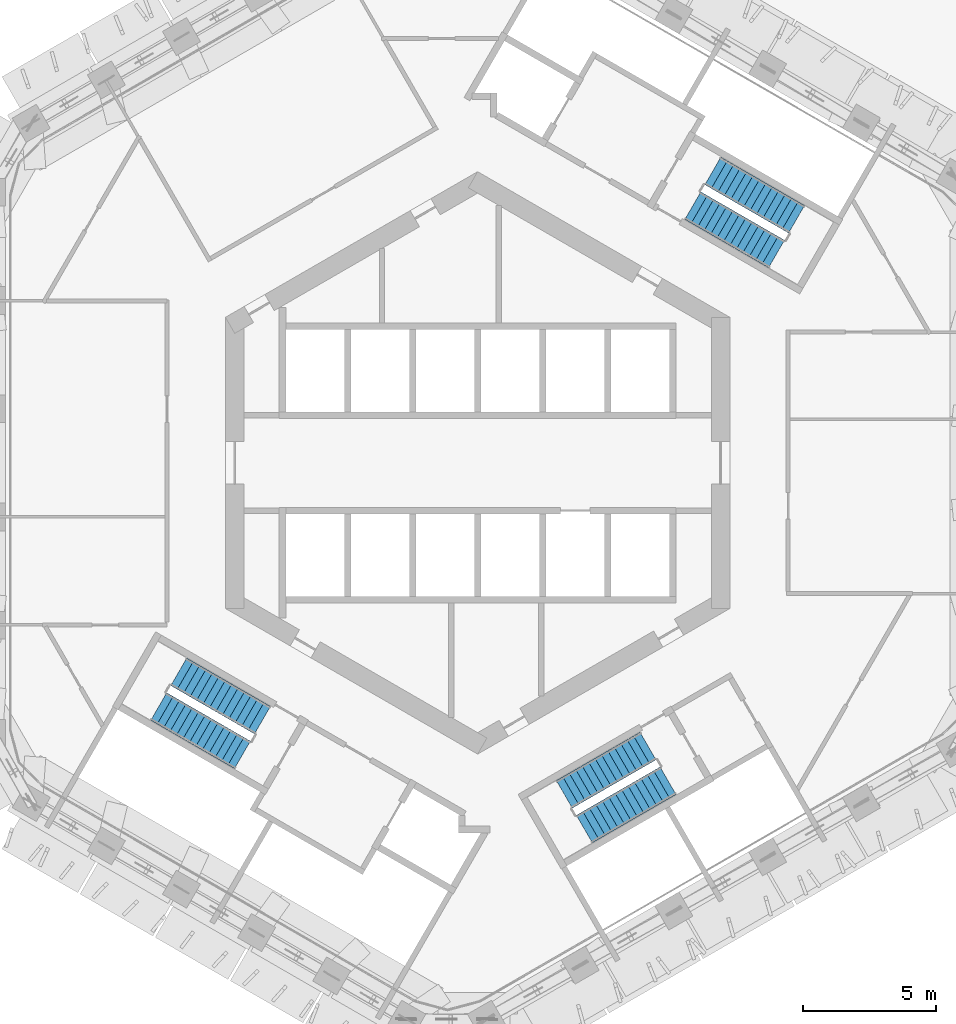
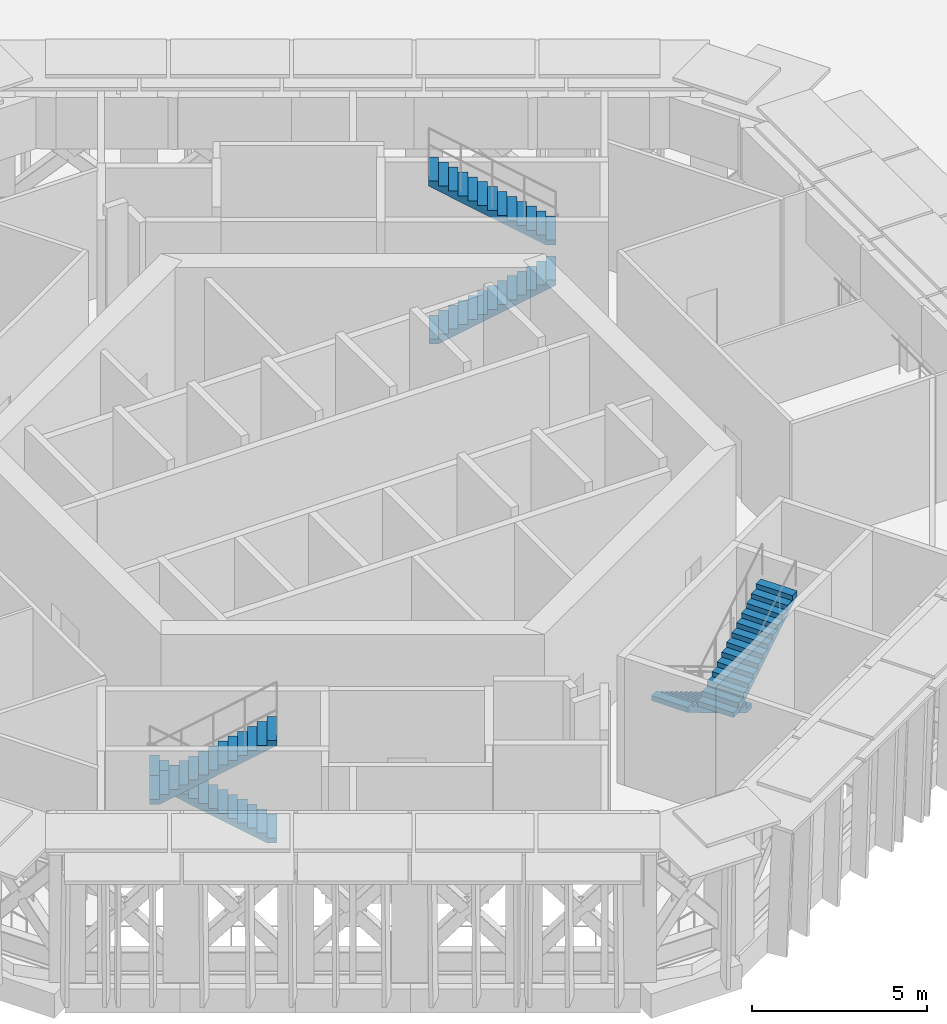
# One storey, part 13 of 18: 6 stair flights, 3 elements without a shape of their own.
"""IFC4 building model written with IfcOpenShell, lengths in metres."""

import ifcopenshell
import ifcopenshell.guid

model = None  # the IFC model being written
_history = None  # IfcOwnerHistory: only IFC2X3 demands one
_inside = {}  # id of a spatial element -> (the spatial element, [elements in it])
_under = {}  # id of a project, library or spatial element -> (it, [spatial elements below it])
_declared = {}  # id of a project -> (the project, [libraries it declares])
_typed = {}  # id of a type object -> (the type object, [elements of that type])
_made_of = {}  # id of a material, layer set ... -> (it, [elements and type objects made of it])


def new_model(schema):
    """Start an empty IFC model of exactly this schema.

    Asked for "IFC4X3", IfcOpenShell would pick the latest addendum, in which some entities
    have other attributes; the version numbers below select the first issue.
    IFC2X3 requires an IfcOwnerHistory on every rooted entity: one is made here for all.
    """
    global model, _history
    if schema == "IFC4X3":
        model = ifcopenshell.file(schema_version=(4, 3, 0, 0))
    else:
        model = ifcopenshell.file(schema=schema)
    _inside.clear()
    _under.clear()
    _declared.clear()
    _typed.clear()
    _made_of.clear()
    _history = None
    if model.schema == "IFC2X3":
        org = make("IfcOrganization", Name="unknown")
        user = make(
            "IfcPersonAndOrganization",
            ThePerson=make("IfcPerson", FamilyName="unknown"),
            TheOrganization=org,
        )
        app = make(
            "IfcApplication",
            ApplicationDeveloper=org,
            Version="unknown",
            ApplicationFullName="unknown",
            ApplicationIdentifier="unknown",
        )
        _history = make(
            "IfcOwnerHistory",
            OwningUser=user,
            OwningApplication=app,
            ChangeAction="ADDED",
            CreationDate=0,
        )
    return model


def make(cls, **values):
    """One entity of the class cls with the attributes given. An attribute that is None is left unset."""
    return model.create_entity(
        cls, **{name: value for name, value in values.items() if value is not None}
    )


def rooted(cls, **values):
    """An entity with a GlobalId (a new one), such as an element, a storey or a relation."""
    return make(cls, GlobalId=ifcopenshell.guid.new(), OwnerHistory=_history, **values)


def si_unit(unit_type, name, prefix=None):
    """IfcSIUnit, for example si_unit("LENGTHUNIT", "METRE", prefix="MILLI")."""
    return make("IfcSIUnit", UnitType=unit_type, Prefix=prefix, Name=name)


def assignment(units):
    """IfcUnitAssignment: the units of a project."""
    return None if units is None else make("IfcUnitAssignment", Units=units)


def point(xyz):
    """IfcCartesianPoint."""
    return None if xyz is None else make("IfcCartesianPoint", Coordinates=xyz)


def direction(xyz):
    """IfcDirection."""
    return None if xyz is None else make("IfcDirection", DirectionRatios=xyz)


def frame(location, z_axis=None, x_axis=None):
    """IfcAxis2Placement3D, a coordinate frame: its origin and axes. An axis left out is left unset."""
    return make(
        "IfcAxis2Placement3D",
        Location=point(location),
        Axis=direction(z_axis),
        RefDirection=direction(x_axis),
    )


def origin():
    """The frame at (0, 0, 0) with its axes left unset."""
    return frame((0.0, 0.0, 0.0))


def place(relative_to, where):
    """IfcLocalPlacement: puts the frame where relative to a parent placement (None: the world)."""
    return make(
        "IfcLocalPlacement", PlacementRelTo=relative_to, RelativePlacement=where
    )


def context(
    kind, dimensions, precision=None, world=None, true_north=None, identifier=None
):
    """IfcGeometricRepresentationContext, for example the 3D "Model" context."""
    return make(
        "IfcGeometricRepresentationContext",
        ContextIdentifier=identifier,
        ContextType=kind,
        CoordinateSpaceDimension=dimensions,
        Precision=precision,
        WorldCoordinateSystem=world,
        TrueNorth=true_north,
    )


def subcontext(parent, identifier, kind, view, scale=None):
    """IfcGeometricRepresentationSubContext, for example "Body" below "Model"."""
    return make(
        "IfcGeometricRepresentationSubContext",
        ContextIdentifier=identifier,
        ContextType=kind,
        ParentContext=parent,
        TargetScale=scale,
        TargetView=view,
    )


def project(units=None, contexts=None):
    """IfcProject with its units and contexts."""
    return rooted(
        "IfcProject",
        Name="project",
        RepresentationContexts=contexts,
        UnitsInContext=assignment(units),
    )


def spatial(cls, under=None, at=None, **own):
    """A site, building, storey or space (cls), placed at a placement, below another one or the project."""
    s = rooted(cls, ObjectPlacement=at, **own)
    if under is not None:
        _under.setdefault(under.id(), (under, []))[1].append(s)
    return s


def point_list(points):
    """IfcCartesianPointList2D or 3D."""
    cls = (
        "IfcCartesianPointList2D" if len(points[0]) == 2 else "IfcCartesianPointList3D"
    )
    return make(cls, CoordList=points)


def triangles(points, corners, closed=None, point_numbers=None):
    """IfcTriangulatedFaceSet: each triangle names its three corners, points numbered from 1."""
    return make(
        "IfcTriangulatedFaceSet",
        Coordinates=point_list(points),
        Closed=closed,
        CoordIndex=corners,
        PnIndex=point_numbers,
    )


def shape(context_of_items, identifier, shape_type, items):
    """IfcShapeRepresentation: the items that make up one representation, for example the "Body"."""
    return make(
        "IfcShapeRepresentation",
        ContextOfItems=context_of_items,
        RepresentationIdentifier=identifier,
        RepresentationType=shape_type,
        Items=items,
    )


def material(Name=None, Category=None):
    """IfcMaterial."""
    return make("IfcMaterial", Name=Name, Category=Category)


def made_of(thing, what):
    """Note that an element or type object is made of a material, layer set ...; save() writes the relation."""
    if what is not None:
        _made_of.setdefault(what.id(), (what, []))[1].append(thing)
    return thing


def type_object(cls, material=None, **own):
    """A type object (cls), such as IfcWallType, which elements share."""
    return made_of(rooted(cls, **own), material)


def element(
    cls,
    number,
    at=None,
    inside=None,
    cuts=None,
    type_object=None,
    material=None,
    context=None,
    identifier="Body",
    shape_type=None,
    held_by="IfcProductDefinitionShape",
    body=None,
    shapes=None,
    **own,
):
    """One element of the class cls, such as IfcWall. Its Tag is "e" and its number.

    at: its placement. inside: the storey or other place that contains it. cuts: it is an
    opening in that element (IfcRelVoidsElement). A single representation is given by context,
    identifier, shape_type and body (its items); several are given by shapes. held_by: the class
    of the entity that holds the representations. save() writes the other relations.
    """
    e = rooted(cls, Tag="e%d" % number, ObjectPlacement=at, **own)
    if body is not None:
        shapes = [shape(context, identifier, shape_type, body)]
    if shapes is not None:
        e.Representation = make(held_by, Representations=shapes)
    if inside is not None:
        _inside.setdefault(inside.id(), (inside, []))[1].append(e)
    if cuts is not None:
        rooted(
            "IfcRelVoidsElement", RelatingBuildingElement=cuts, RelatedOpeningElement=e
        )
    if type_object is not None:
        _typed.setdefault(type_object.id(), (type_object, []))[1].append(e)
    return made_of(e, material)


def aggregate(whole, parts):
    """IfcRelAggregates: a whole, such as a stair, and the parts it consists of."""
    return rooted("IfcRelAggregates", RelatingObject=whole, RelatedObjects=parts)


def save(model, path):
    """Write the relations noted so far, then the file.

    IfcRelAggregates (storeys below a building ...), IfcRelContainedInSpatialStructure (elements
    in a storey), IfcRelDefinesByType, IfcRelAssociatesMaterial and IfcRelDeclares: one each for
    every whole, place, type object, material and project.
    """
    for whole, parts in _under.values():
        aggregate(whole, parts)
    for where, things in _inside.values():
        rooted(
            "IfcRelContainedInSpatialStructure",
            RelatedElements=things,
            RelatingStructure=where,
        )
    for kind, things in _typed.values():
        rooted("IfcRelDefinesByType", RelatedObjects=things, RelatingType=kind)
    for what, things in _made_of.values():
        rooted("IfcRelAssociatesMaterial", RelatedObjects=things, RelatingMaterial=what)
    for by, libraries in _declared.values():
        rooted("IfcRelDeclares", RelatingContext=by, RelatedDefinitions=libraries)
    model.write(path)


model = new_model("IFC4")

# Units and contexts
model_context = context("Model", 3, precision=1e-05, world=origin(), true_north=direction((0.0, 1.0)))
body_context = subcontext(model_context, "Body", "Model", "MODEL_VIEW")
ifc_project = project(units=[si_unit("LENGTHUNIT", "METRE"), si_unit("AREAUNIT", "SQUARE_METRE"), si_unit("VOLUMEUNIT", "CUBIC_METRE"), si_unit("PLANEANGLEUNIT", "RADIAN"), si_unit("MASSUNIT", "GRAM", prefix="KILO")], contexts=[model_context])

# Site, building, storey
site_placement = place(None, origin())
site = spatial("IfcSite", under=ifc_project, at=site_placement, CompositionType="ELEMENT")
building_placement = place(site_placement, origin())
building = spatial("IfcBuilding", under=site, at=building_placement, Name="Ayvan Gate Tower", CompositionType="ELEMENT")
storey_placement = place(building_placement, frame((0.0, 0.0, 147.89990234375)))
storey = spatial("IfcBuildingStorey", under=building, at=storey_placement, Name="L39", CompositionType="ELEMENT", Elevation=147.89990234375)

# Stair, stair flights
ifc_material = material(Name="Concrete C40/50", Category="concrete")
stair_type = type_object("IfcStairType", Name="ST-EXIT", PredefinedType="HALF_TURN_STAIR", material=ifc_material)
stair_1_placement = place(storey_placement, origin())
stair_1 = element("IfcStair", 1, at=stair_1_placement, inside=storey, type_object=stair_type, Name="L39 Exit Stair S1", PredefinedType="HALF_TURN_STAIR")
stair_flight_type = type_object("IfcStairFlightType", Name="SFL-EXIT", PredefinedType="STRAIGHT", material=ifc_material)
stair_flight_1_placement = place(storey_placement, frame((8.106201171875, 9.690185546875, 0.0), z_axis=(0.0, 0.0, 1.0), x_axis=(0.866025403784, -0.5, 0.0)))
stair_flight_1 = element("IfcStairFlight", 2, at=stair_flight_1_placement, type_object=stair_flight_type, Name="STS1 flight 1", NumberOfRisers=14, NumberOfTreads=13, PredefinedType="STRAIGHT", RiserHeight=0.171428571, TreadLength=0.28, context=body_context, shape_type="Tessellation", body=[
    triangles([(0.287085, -0.599976, 0.0), (3.6405, -0.599976, 2.053111), (3.6405, -0.599976, 2.228571), (3.36, -0.599976, 2.228571), (3.36, -0.599976, 2.057143), (3.08, -0.599976, 2.057143), (3.08, -0.599976, 1.885714), (2.8, -0.599976, 1.885714), (2.8, -0.599976, 1.714286), (2.52, -0.599976, 1.714286), (2.52, -0.599976, 1.542857), (2.24, -0.599976, 1.542857), (2.24, -0.599976, 1.371429), (1.96, -0.599976, 1.371429), (1.96, -0.599976, 1.2), (1.68, -0.599976, 1.2), (1.68, -0.599976, 1.028571), (1.4, -0.599976, 1.028571), (1.4, -0.599976, 0.857143), (1.12, -0.599976, 0.857143), (1.12, -0.599976, 0.685714), (0.84, -0.599976, 0.685714), (0.84, -0.599976, 0.514286), (0.56, -0.599976, 0.514286), (0.56, -0.599976, 0.342857), (0.28, -0.599976, 0.342857), (0.28, -0.599976, 0.171429), (-0.0005, -0.599976, 0.171429), (-0.0005, -0.599976, 0.0), (0.287085, 0.0, 0.0), (3.6405, 0.0, 2.053111), (3.6405, 0.0, 2.228571), (3.36, 0.0, 2.228571), (3.36, 0.0, 2.057143), (3.08, 0.0, 2.057143), (3.08, 0.0, 1.885714), (2.8, 0.0, 1.885714), (2.8, 0.0, 1.714286), (2.52, 0.0, 1.714286), (2.52, 0.0, 1.542857), (2.24, 0.0, 1.542857), (2.24, 0.0, 1.371429), (1.96, 0.0, 1.371429), (1.96, 0.0, 1.2), (1.68, 0.0, 1.2), (1.68, 0.0, 1.028571), (1.4, 0.0, 1.028571), (1.4, 0.0, 0.857143), (1.12, 0.0, 0.857143), (1.12, 0.0, 0.685714), (0.84, 0.0, 0.685714), (0.84, 0.0, 0.514286), (0.56, 0.0, 0.514286), (0.56, 0.0, 0.342857), (0.28, 0.0, 0.342857), (0.28, 0.0, 0.171429), (-0.0005, 0.0, 0.171429), (-0.0005, 0.0, 0.0), (0.287085, 0.599976, 0.0), (3.6405, 0.599976, 2.053111), (3.6405, 0.599976, 2.228571), (3.36, 0.599976, 2.228571), (3.36, 0.599976, 2.057143), (3.08, 0.599976, 2.057143), (3.08, 0.599976, 1.885714), (2.8, 0.599976, 1.885714), (2.8, 0.599976, 1.714286), (2.52, 0.599976, 1.714286), (2.52, 0.599976, 1.542857), (2.24, 0.599976, 1.542857), (2.24, 0.599976, 1.371429), (1.96, 0.599976, 1.371429), (1.96, 0.599976, 1.2), (1.68, 0.599976, 1.2), (1.68, 0.599976, 1.028571), (1.4, 0.599976, 1.028571), (1.4, 0.599976, 0.857143), (1.12, 0.599976, 0.857143), (1.12, 0.599976, 0.685714), (0.84, 0.599976, 0.685714), (0.84, 0.599976, 0.514286), (0.56, 0.599976, 0.514286), (0.56, 0.599976, 0.342857), (0.28, 0.599976, 0.342857), (0.28, 0.599976, 0.171429), (-0.0005, 0.599976, 0.171429), (-0.0005, 0.599976, 0.0)], [[29, 1, 2], [87, 60, 59], [2, 3, 4], [60, 62, 61], [2, 4, 5], [60, 63, 62], [2, 5, 6], [60, 64, 63], [2, 6, 7], [60, 65, 64], [7, 8, 9], [65, 67, 66], [2, 7, 9], [60, 67, 65], [9, 10, 11], [67, 69, 68], [2, 9, 11], [60, 69, 67], [11, 12, 13], [69, 71, 70], [2, 11, 13], [60, 71, 69], [13, 14, 15], [71, 73, 72], [2, 13, 15], [60, 73, 71], [15, 16, 17], [73, 75, 74], [2, 15, 17], [60, 75, 73], [17, 18, 19], [75, 77, 76], [2, 17, 19], [60, 77, 75], [19, 20, 21], [77, 79, 78], [2, 19, 21], [60, 79, 77], [21, 22, 23], [79, 81, 80], [2, 21, 23], [60, 81, 79], [23, 24, 25], [81, 83, 82], [2, 23, 25], [60, 83, 81], [25, 26, 27], [83, 85, 84], [2, 25, 27], [60, 85, 83], [29, 2, 27], [87, 85, 60], [27, 28, 29], [85, 87, 86], [1, 30, 31], [1, 31, 2], [59, 31, 30], [59, 60, 31], [2, 31, 32], [2, 32, 3], [60, 32, 31], [60, 61, 32], [3, 32, 33], [3, 33, 4], [61, 33, 32], [61, 62, 33], [4, 33, 34], [4, 34, 5], [62, 34, 33], [62, 63, 34], [5, 34, 35], [5, 35, 6], [63, 35, 34], [63, 64, 35], [6, 35, 36], [6, 36, 7], [64, 36, 35], [64, 65, 36], [7, 36, 37], [7, 37, 8], [65, 37, 36], [65, 66, 37], [8, 37, 38], [8, 38, 9], [66, 38, 37], [66, 67, 38], [9, 38, 39], [9, 39, 10], [67, 39, 38], [67, 68, 39], [10, 39, 40], [10, 40, 11], [68, 40, 39], [68, 69, 40], [11, 40, 41], [11, 41, 12], [69, 41, 40], [69, 70, 41], [12, 41, 42], [12, 42, 13], [70, 42, 41], [70, 71, 42], [13, 42, 43], [13, 43, 14], [71, 43, 42], [71, 72, 43], [14, 43, 44], [14, 44, 15], [72, 44, 43], [72, 73, 44], [15, 44, 45], [15, 45, 16], [73, 45, 44], [73, 74, 45], [16, 45, 46], [16, 46, 17], [74, 46, 45], [74, 75, 46], [17, 46, 47], [17, 47, 18], [75, 47, 46], [75, 76, 47], [18, 47, 48], [18, 48, 19], [76, 48, 47], [76, 77, 48], [19, 48, 49], [19, 49, 20], [77, 49, 48], [77, 78, 49], [20, 49, 50], [20, 50, 21], [78, 50, 49], [78, 79, 50], [21, 50, 51], [21, 51, 22], [79, 51, 50], [79, 80, 51], [22, 51, 52], [22, 52, 23], [80, 52, 51], [80, 81, 52], [23, 52, 53], [23, 53, 24], [81, 53, 52], [81, 82, 53], [24, 53, 54], [24, 54, 25], [82, 54, 53], [82, 83, 54], [25, 54, 55], [25, 55, 26], [83, 55, 54], [83, 84, 55], [26, 55, 56], [26, 56, 27], [84, 56, 55], [84, 85, 56], [27, 56, 57], [27, 57, 28], [85, 57, 56], [85, 86, 57], [28, 57, 58], [28, 58, 29], [86, 58, 57], [86, 87, 58], [29, 58, 30], [29, 30, 1], [87, 30, 58], [87, 59, 30]], closed=True),
])
stair_flight_2_placement = place(storey_placement, frame((12.013427734375, 9.177978515625, 2.400146484375), z_axis=(0.0, 0.0, 1.0), x_axis=(-0.866025403784, 0.5, 0.0)))
stair_flight_2 = element("IfcStairFlight", 3, at=stair_flight_2_placement, type_object=stair_flight_type, Name="STS1 flight 2", NumberOfRisers=14, NumberOfTreads=13, PredefinedType="STRAIGHT", RiserHeight=0.171428571, TreadLength=0.28, context=body_context, shape_type="Tessellation", body=[
    triangles([(0.287085, -0.599976, 0.0), (3.6405, -0.599976, 2.053111), (3.6405, -0.599976, 2.228571), (3.36, -0.599976, 2.228571), (3.36, -0.599976, 2.057143), (3.08, -0.599976, 2.057143), (3.08, -0.599976, 1.885714), (2.8, -0.599976, 1.885714), (2.8, -0.599976, 1.714286), (2.52, -0.599976, 1.714286), (2.52, -0.599976, 1.542857), (2.24, -0.599976, 1.542857), (2.24, -0.599976, 1.371429), (1.96, -0.599976, 1.371429), (1.96, -0.599976, 1.2), (1.68, -0.599976, 1.2), (1.68, -0.599976, 1.028571), (1.4, -0.599976, 1.028571), (1.4, -0.599976, 0.857143), (1.12, -0.599976, 0.857143), (1.12, -0.599976, 0.685714), (0.84, -0.599976, 0.685714), (0.84, -0.599976, 0.514286), (0.56, -0.599976, 0.514286), (0.56, -0.599976, 0.342857), (0.28, -0.599976, 0.342857), (0.28, -0.599976, 0.171429), (-0.0005, -0.599976, 0.171429), (-0.0005, -0.599976, 0.0), (0.287085, 0.0, 0.0), (3.6405, 0.0, 2.053111), (3.6405, 0.0, 2.228571), (3.36, 0.0, 2.228571), (3.36, 0.0, 2.057143), (3.08, 0.0, 2.057143), (3.08, 0.0, 1.885714), (2.8, 0.0, 1.885714), (2.8, 0.0, 1.714286), (2.52, 0.0, 1.714286), (2.52, 0.0, 1.542857), (2.24, 0.0, 1.542857), (2.24, 0.0, 1.371429), (1.96, 0.0, 1.371429), (1.96, 0.0, 1.2), (1.68, 0.0, 1.2), (1.68, 0.0, 1.028571), (1.4, 0.0, 1.028571), (1.4, 0.0, 0.857143), (1.12, 0.0, 0.857143), (1.12, 0.0, 0.685714), (0.84, 0.0, 0.685714), (0.84, 0.0, 0.514286), (0.56, 0.0, 0.514286), (0.56, 0.0, 0.342857), (0.28, 0.0, 0.342857), (0.28, 0.0, 0.171429), (-0.0005, 0.0, 0.171429), (-0.0005, 0.0, 0.0), (0.287085, 0.599976, 0.0), (3.6405, 0.599976, 2.053111), (3.6405, 0.599976, 2.228571), (3.36, 0.599976, 2.228571), (3.36, 0.599976, 2.057143), (3.08, 0.599976, 2.057143), (3.08, 0.599976, 1.885714), (2.8, 0.599976, 1.885714), (2.8, 0.599976, 1.714286), (2.52, 0.599976, 1.714286), (2.52, 0.599976, 1.542857), (2.24, 0.599976, 1.542857), (2.24, 0.599976, 1.371429), (1.96, 0.599976, 1.371429), (1.96, 0.599976, 1.2), (1.68, 0.599976, 1.2), (1.68, 0.599976, 1.028571), (1.4, 0.599976, 1.028571), (1.4, 0.599976, 0.857143), (1.12, 0.599976, 0.857143), (1.12, 0.599976, 0.685714), (0.84, 0.599976, 0.685714), (0.84, 0.599976, 0.514286), (0.56, 0.599976, 0.514286), (0.56, 0.599976, 0.342857), (0.28, 0.599976, 0.342857), (0.28, 0.599976, 0.171429), (-0.0005, 0.599976, 0.171429), (-0.0005, 0.599976, 0.0)], [[29, 1, 2], [87, 60, 59], [2, 3, 4], [60, 62, 61], [2, 4, 5], [60, 63, 62], [2, 5, 6], [60, 64, 63], [2, 6, 7], [60, 65, 64], [7, 8, 9], [65, 67, 66], [2, 7, 9], [60, 67, 65], [9, 10, 11], [67, 69, 68], [2, 9, 11], [60, 69, 67], [11, 12, 13], [69, 71, 70], [2, 11, 13], [60, 71, 69], [13, 14, 15], [71, 73, 72], [2, 13, 15], [60, 73, 71], [15, 16, 17], [73, 75, 74], [2, 15, 17], [60, 75, 73], [17, 18, 19], [75, 77, 76], [2, 17, 19], [60, 77, 75], [19, 20, 21], [77, 79, 78], [2, 19, 21], [60, 79, 77], [21, 22, 23], [79, 81, 80], [2, 21, 23], [60, 81, 79], [23, 24, 25], [81, 83, 82], [2, 23, 25], [60, 83, 81], [25, 26, 27], [83, 85, 84], [2, 25, 27], [60, 85, 83], [29, 2, 27], [87, 85, 60], [27, 28, 29], [85, 87, 86], [1, 30, 31], [1, 31, 2], [59, 31, 30], [59, 60, 31], [2, 31, 32], [2, 32, 3], [60, 32, 31], [60, 61, 32], [3, 32, 33], [3, 33, 4], [61, 33, 32], [61, 62, 33], [4, 33, 34], [4, 34, 5], [62, 34, 33], [62, 63, 34], [5, 34, 35], [5, 35, 6], [63, 35, 34], [63, 64, 35], [6, 35, 36], [6, 36, 7], [64, 36, 35], [64, 65, 36], [7, 36, 37], [7, 37, 8], [65, 37, 36], [65, 66, 37], [8, 37, 38], [8, 38, 9], [66, 38, 37], [66, 67, 38], [9, 38, 39], [9, 39, 10], [67, 39, 38], [67, 68, 39], [10, 39, 40], [10, 40, 11], [68, 40, 39], [68, 69, 40], [11, 40, 41], [11, 41, 12], [69, 41, 40], [69, 70, 41], [12, 41, 42], [12, 42, 13], [70, 42, 41], [70, 71, 42], [13, 42, 43], [13, 43, 14], [71, 43, 42], [71, 72, 43], [14, 43, 44], [14, 44, 15], [72, 44, 43], [72, 73, 44], [15, 44, 45], [15, 45, 16], [73, 45, 44], [73, 74, 45], [16, 45, 46], [16, 46, 17], [74, 46, 45], [74, 75, 46], [17, 46, 47], [17, 47, 18], [75, 47, 46], [75, 76, 47], [18, 47, 48], [18, 48, 19], [76, 48, 47], [76, 77, 48], [19, 48, 49], [19, 49, 20], [77, 49, 48], [77, 78, 49], [20, 49, 50], [20, 50, 21], [78, 50, 49], [78, 79, 50], [21, 50, 51], [21, 51, 22], [79, 51, 50], [79, 80, 51], [22, 51, 52], [22, 52, 23], [80, 52, 51], [80, 81, 52], [23, 52, 53], [23, 53, 24], [81, 53, 52], [81, 82, 53], [24, 53, 54], [24, 54, 25], [82, 54, 53], [82, 83, 54], [25, 54, 55], [25, 55, 26], [83, 55, 54], [83, 84, 55], [26, 55, 56], [26, 56, 27], [84, 56, 55], [84, 85, 56], [27, 56, 57], [27, 57, 28], [85, 57, 56], [85, 86, 57], [28, 57, 58], [28, 58, 29], [86, 58, 57], [86, 87, 58], [29, 58, 30], [29, 30, 1], [87, 30, 58], [87, 59, 30]], closed=True),
])
aggregate(stair_1, [stair_flight_1, stair_flight_2])

stair_2_placement = place(storey_placement, origin())
stair_2 = element("IfcStair", 4, at=stair_2_placement, inside=storey, type_object=stair_type, Name="L39 Exit Stair S2", PredefinedType="HALF_TURN_STAIR")
stair_flight_3_placement = place(storey_placement, frame((-8.106201171875, -9.690185546875, 0.0), z_axis=(0.0, 0.0, 1.0), x_axis=(-0.866025403784, 0.5, 0.0)))
stair_flight_3 = element("IfcStairFlight", 5, at=stair_flight_3_placement, type_object=stair_flight_type, Name="STS2 flight 1", NumberOfRisers=14, NumberOfTreads=13, PredefinedType="STRAIGHT", RiserHeight=0.171428571, TreadLength=0.28, context=body_context, shape_type="Tessellation", body=[
    triangles([(0.287085, -0.599976, 0.0), (3.6405, -0.599976, 2.053111), (3.6405, -0.599976, 2.228571), (3.36, -0.599976, 2.228571), (3.36, -0.599976, 2.057143), (3.08, -0.599976, 2.057143), (3.08, -0.599976, 1.885714), (2.8, -0.599976, 1.885714), (2.8, -0.599976, 1.714286), (2.52, -0.599976, 1.714286), (2.52, -0.599976, 1.542857), (2.24, -0.599976, 1.542857), (2.24, -0.599976, 1.371429), (1.96, -0.599976, 1.371429), (1.96, -0.599976, 1.2), (1.68, -0.599976, 1.2), (1.68, -0.599976, 1.028571), (1.4, -0.599976, 1.028571), (1.4, -0.599976, 0.857143), (1.12, -0.599976, 0.857143), (1.12, -0.599976, 0.685714), (0.84, -0.599976, 0.685714), (0.84, -0.599976, 0.514286), (0.56, -0.599976, 0.514286), (0.56, -0.599976, 0.342857), (0.28, -0.599976, 0.342857), (0.28, -0.599976, 0.171429), (-0.0005, -0.599976, 0.171429), (-0.0005, -0.599976, 0.0), (0.287085, 0.0, 0.0), (3.6405, 0.0, 2.053111), (3.6405, 0.0, 2.228571), (3.36, 0.0, 2.228571), (3.36, 0.0, 2.057143), (3.08, 0.0, 2.057143), (3.08, 0.0, 1.885714), (2.8, 0.0, 1.885714), (2.8, 0.0, 1.714286), (2.52, 0.0, 1.714286), (2.52, 0.0, 1.542857), (2.24, 0.0, 1.542857), (2.24, 0.0, 1.371429), (1.96, 0.0, 1.371429), (1.96, 0.0, 1.2), (1.68, 0.0, 1.2), (1.68, 0.0, 1.028571), (1.4, 0.0, 1.028571), (1.4, 0.0, 0.857143), (1.12, 0.0, 0.857143), (1.12, 0.0, 0.685714), (0.84, 0.0, 0.685714), (0.84, 0.0, 0.514286), (0.56, 0.0, 0.514286), (0.56, 0.0, 0.342857), (0.28, 0.0, 0.342857), (0.28, 0.0, 0.171429), (-0.0005, 0.0, 0.171429), (-0.0005, 0.0, 0.0), (0.287085, 0.599976, 0.0), (3.6405, 0.599976, 2.053111), (3.6405, 0.599976, 2.228571), (3.36, 0.599976, 2.228571), (3.36, 0.599976, 2.057143), (3.08, 0.599976, 2.057143), (3.08, 0.599976, 1.885714), (2.8, 0.599976, 1.885714), (2.8, 0.599976, 1.714286), (2.52, 0.599976, 1.714286), (2.52, 0.599976, 1.542857), (2.24, 0.599976, 1.542857), (2.24, 0.599976, 1.371429), (1.96, 0.599976, 1.371429), (1.96, 0.599976, 1.2), (1.68, 0.599976, 1.2), (1.68, 0.599976, 1.028571), (1.4, 0.599976, 1.028571), (1.4, 0.599976, 0.857143), (1.12, 0.599976, 0.857143), (1.12, 0.599976, 0.685714), (0.84, 0.599976, 0.685714), (0.84, 0.599976, 0.514286), (0.56, 0.599976, 0.514286), (0.56, 0.599976, 0.342857), (0.28, 0.599976, 0.342857), (0.28, 0.599976, 0.171429), (-0.0005, 0.599976, 0.171429), (-0.0005, 0.599976, 0.0)], [[29, 1, 2], [87, 60, 59], [2, 3, 4], [60, 62, 61], [2, 4, 5], [60, 63, 62], [2, 5, 6], [60, 64, 63], [2, 6, 7], [60, 65, 64], [7, 8, 9], [65, 67, 66], [2, 7, 9], [60, 67, 65], [9, 10, 11], [67, 69, 68], [2, 9, 11], [60, 69, 67], [11, 12, 13], [69, 71, 70], [2, 11, 13], [60, 71, 69], [13, 14, 15], [71, 73, 72], [2, 13, 15], [60, 73, 71], [15, 16, 17], [73, 75, 74], [2, 15, 17], [60, 75, 73], [17, 18, 19], [75, 77, 76], [2, 17, 19], [60, 77, 75], [19, 20, 21], [77, 79, 78], [2, 19, 21], [60, 79, 77], [21, 22, 23], [79, 81, 80], [2, 21, 23], [60, 81, 79], [23, 24, 25], [81, 83, 82], [2, 23, 25], [60, 83, 81], [25, 26, 27], [83, 85, 84], [2, 25, 27], [60, 85, 83], [29, 2, 27], [87, 85, 60], [27, 28, 29], [85, 87, 86], [1, 30, 31], [1, 31, 2], [59, 31, 30], [59, 60, 31], [2, 31, 32], [2, 32, 3], [60, 32, 31], [60, 61, 32], [3, 32, 33], [3, 33, 4], [61, 33, 32], [61, 62, 33], [4, 33, 34], [4, 34, 5], [62, 34, 33], [62, 63, 34], [5, 34, 35], [5, 35, 6], [63, 35, 34], [63, 64, 35], [6, 35, 36], [6, 36, 7], [64, 36, 35], [64, 65, 36], [7, 36, 37], [7, 37, 8], [65, 37, 36], [65, 66, 37], [8, 37, 38], [8, 38, 9], [66, 38, 37], [66, 67, 38], [9, 38, 39], [9, 39, 10], [67, 39, 38], [67, 68, 39], [10, 39, 40], [10, 40, 11], [68, 40, 39], [68, 69, 40], [11, 40, 41], [11, 41, 12], [69, 41, 40], [69, 70, 41], [12, 41, 42], [12, 42, 13], [70, 42, 41], [70, 71, 42], [13, 42, 43], [13, 43, 14], [71, 43, 42], [71, 72, 43], [14, 43, 44], [14, 44, 15], [72, 44, 43], [72, 73, 44], [15, 44, 45], [15, 45, 16], [73, 45, 44], [73, 74, 45], [16, 45, 46], [16, 46, 17], [74, 46, 45], [74, 75, 46], [17, 46, 47], [17, 47, 18], [75, 47, 46], [75, 76, 47], [18, 47, 48], [18, 48, 19], [76, 48, 47], [76, 77, 48], [19, 48, 49], [19, 49, 20], [77, 49, 48], [77, 78, 49], [20, 49, 50], [20, 50, 21], [78, 50, 49], [78, 79, 50], [21, 50, 51], [21, 51, 22], [79, 51, 50], [79, 80, 51], [22, 51, 52], [22, 52, 23], [80, 52, 51], [80, 81, 52], [23, 52, 53], [23, 53, 24], [81, 53, 52], [81, 82, 53], [24, 53, 54], [24, 54, 25], [82, 54, 53], [82, 83, 54], [25, 54, 55], [25, 55, 26], [83, 55, 54], [83, 84, 55], [26, 55, 56], [26, 56, 27], [84, 56, 55], [84, 85, 56], [27, 56, 57], [27, 57, 28], [85, 57, 56], [85, 86, 57], [28, 57, 58], [28, 58, 29], [86, 58, 57], [86, 87, 58], [29, 58, 30], [29, 30, 1], [87, 30, 58], [87, 59, 30]], closed=True),
])
stair_flight_4_placement = place(storey_placement, frame((-12.013427734375, -9.177978515625, 2.400146484375), z_axis=(0.0, 0.0, 1.0), x_axis=(0.866025403784, -0.5, 0.0)))
stair_flight_4 = element("IfcStairFlight", 6, at=stair_flight_4_placement, type_object=stair_flight_type, Name="STS2 flight 2", NumberOfRisers=14, NumberOfTreads=13, PredefinedType="STRAIGHT", RiserHeight=0.171428571, TreadLength=0.28, context=body_context, shape_type="Tessellation", body=[
    triangles([(0.287085, -0.599976, 0.0), (3.6405, -0.599976, 2.053111), (3.6405, -0.599976, 2.228571), (3.36, -0.599976, 2.228571), (3.36, -0.599976, 2.057143), (3.08, -0.599976, 2.057143), (3.08, -0.599976, 1.885714), (2.8, -0.599976, 1.885714), (2.8, -0.599976, 1.714286), (2.52, -0.599976, 1.714286), (2.52, -0.599976, 1.542857), (2.24, -0.599976, 1.542857), (2.24, -0.599976, 1.371429), (1.96, -0.599976, 1.371429), (1.96, -0.599976, 1.2), (1.68, -0.599976, 1.2), (1.68, -0.599976, 1.028571), (1.4, -0.599976, 1.028571), (1.4, -0.599976, 0.857143), (1.12, -0.599976, 0.857143), (1.12, -0.599976, 0.685714), (0.84, -0.599976, 0.685714), (0.84, -0.599976, 0.514286), (0.56, -0.599976, 0.514286), (0.56, -0.599976, 0.342857), (0.28, -0.599976, 0.342857), (0.28, -0.599976, 0.171429), (-0.0005, -0.599976, 0.171429), (-0.0005, -0.599976, 0.0), (0.287085, 0.0, 0.0), (3.6405, 0.0, 2.053111), (3.6405, 0.0, 2.228571), (3.36, 0.0, 2.228571), (3.36, 0.0, 2.057143), (3.08, 0.0, 2.057143), (3.08, 0.0, 1.885714), (2.8, 0.0, 1.885714), (2.8, 0.0, 1.714286), (2.52, 0.0, 1.714286), (2.52, 0.0, 1.542857), (2.24, 0.0, 1.542857), (2.24, 0.0, 1.371429), (1.96, 0.0, 1.371429), (1.96, 0.0, 1.2), (1.68, 0.0, 1.2), (1.68, 0.0, 1.028571), (1.4, 0.0, 1.028571), (1.4, 0.0, 0.857143), (1.12, 0.0, 0.857143), (1.12, 0.0, 0.685714), (0.84, 0.0, 0.685714), (0.84, 0.0, 0.514286), (0.56, 0.0, 0.514286), (0.56, 0.0, 0.342857), (0.28, 0.0, 0.342857), (0.28, 0.0, 0.171429), (-0.0005, 0.0, 0.171429), (-0.0005, 0.0, 0.0), (0.287085, 0.599976, 0.0), (3.6405, 0.599976, 2.053111), (3.6405, 0.599976, 2.228571), (3.36, 0.599976, 2.228571), (3.36, 0.599976, 2.057143), (3.08, 0.599976, 2.057143), (3.08, 0.599976, 1.885714), (2.8, 0.599976, 1.885714), (2.8, 0.599976, 1.714286), (2.52, 0.599976, 1.714286), (2.52, 0.599976, 1.542857), (2.24, 0.599976, 1.542857), (2.24, 0.599976, 1.371429), (1.96, 0.599976, 1.371429), (1.96, 0.599976, 1.2), (1.68, 0.599976, 1.2), (1.68, 0.599976, 1.028571), (1.4, 0.599976, 1.028571), (1.4, 0.599976, 0.857143), (1.12, 0.599976, 0.857143), (1.12, 0.599976, 0.685714), (0.84, 0.599976, 0.685714), (0.84, 0.599976, 0.514286), (0.56, 0.599976, 0.514286), (0.56, 0.599976, 0.342857), (0.28, 0.599976, 0.342857), (0.28, 0.599976, 0.171429), (-0.0005, 0.599976, 0.171429), (-0.0005, 0.599976, 0.0)], [[29, 1, 2], [87, 60, 59], [2, 3, 4], [60, 62, 61], [2, 4, 5], [60, 63, 62], [2, 5, 6], [60, 64, 63], [2, 6, 7], [60, 65, 64], [7, 8, 9], [65, 67, 66], [2, 7, 9], [60, 67, 65], [9, 10, 11], [67, 69, 68], [2, 9, 11], [60, 69, 67], [11, 12, 13], [69, 71, 70], [2, 11, 13], [60, 71, 69], [13, 14, 15], [71, 73, 72], [2, 13, 15], [60, 73, 71], [15, 16, 17], [73, 75, 74], [2, 15, 17], [60, 75, 73], [17, 18, 19], [75, 77, 76], [2, 17, 19], [60, 77, 75], [19, 20, 21], [77, 79, 78], [2, 19, 21], [60, 79, 77], [21, 22, 23], [79, 81, 80], [2, 21, 23], [60, 81, 79], [23, 24, 25], [81, 83, 82], [2, 23, 25], [60, 83, 81], [25, 26, 27], [83, 85, 84], [2, 25, 27], [60, 85, 83], [29, 2, 27], [87, 85, 60], [27, 28, 29], [85, 87, 86], [1, 30, 31], [1, 31, 2], [59, 31, 30], [59, 60, 31], [2, 31, 32], [2, 32, 3], [60, 32, 31], [60, 61, 32], [3, 32, 33], [3, 33, 4], [61, 33, 32], [61, 62, 33], [4, 33, 34], [4, 34, 5], [62, 34, 33], [62, 63, 34], [5, 34, 35], [5, 35, 6], [63, 35, 34], [63, 64, 35], [6, 35, 36], [6, 36, 7], [64, 36, 35], [64, 65, 36], [7, 36, 37], [7, 37, 8], [65, 37, 36], [65, 66, 37], [8, 37, 38], [8, 38, 9], [66, 38, 37], [66, 67, 38], [9, 38, 39], [9, 39, 10], [67, 39, 38], [67, 68, 39], [10, 39, 40], [10, 40, 11], [68, 40, 39], [68, 69, 40], [11, 40, 41], [11, 41, 12], [69, 41, 40], [69, 70, 41], [12, 41, 42], [12, 42, 13], [70, 42, 41], [70, 71, 42], [13, 42, 43], [13, 43, 14], [71, 43, 42], [71, 72, 43], [14, 43, 44], [14, 44, 15], [72, 44, 43], [72, 73, 44], [15, 44, 45], [15, 45, 16], [73, 45, 44], [73, 74, 45], [16, 45, 46], [16, 46, 17], [74, 46, 45], [74, 75, 46], [17, 46, 47], [17, 47, 18], [75, 47, 46], [75, 76, 47], [18, 47, 48], [18, 48, 19], [76, 48, 47], [76, 77, 48], [19, 48, 49], [19, 49, 20], [77, 49, 48], [77, 78, 49], [20, 49, 50], [20, 50, 21], [78, 50, 49], [78, 79, 50], [21, 50, 51], [21, 51, 22], [79, 51, 50], [79, 80, 51], [22, 51, 52], [22, 52, 23], [80, 52, 51], [80, 81, 52], [23, 52, 53], [23, 53, 24], [81, 53, 52], [81, 82, 53], [24, 53, 54], [24, 54, 25], [82, 54, 53], [82, 83, 54], [25, 54, 55], [25, 55, 26], [83, 55, 54], [83, 84, 55], [26, 55, 56], [26, 56, 27], [84, 56, 55], [84, 85, 56], [27, 56, 57], [27, 57, 28], [85, 57, 56], [85, 86, 57], [28, 57, 58], [28, 58, 29], [86, 58, 57], [86, 87, 58], [29, 58, 30], [29, 30, 1], [87, 30, 58], [87, 59, 30]], closed=True),
])
aggregate(stair_2, [stair_flight_3, stair_flight_4])

stair_3_placement = place(storey_placement, origin())
stair_3 = element("IfcStair", 7, at=stair_3_placement, inside=storey, type_object=stair_type, Name="L39 Exit Stair S3", PredefinedType="HALF_TURN_STAIR")
stair_flight_5_placement = place(storey_placement, frame((6.417236328125, -10.665283203125, 0.0), z_axis=(0.0, 0.0, 1.0), x_axis=(-0.866025403784, -0.5, 0.0)))
stair_flight_5 = element("IfcStairFlight", 8, at=stair_flight_5_placement, type_object=stair_flight_type, Name="STS3 flight 1", NumberOfRisers=14, NumberOfTreads=13, PredefinedType="STRAIGHT", RiserHeight=0.171428571, TreadLength=0.28, context=body_context, shape_type="Tessellation", body=[
    triangles([(0.287085, -0.599976, 0.0), (3.6405, -0.599976, 2.053111), (3.6405, -0.599976, 2.228571), (3.36, -0.599976, 2.228571), (3.36, -0.599976, 2.057143), (3.08, -0.599976, 2.057143), (3.08, -0.599976, 1.885714), (2.8, -0.599976, 1.885714), (2.8, -0.599976, 1.714286), (2.52, -0.599976, 1.714286), (2.52, -0.599976, 1.542857), (2.24, -0.599976, 1.542857), (2.24, -0.599976, 1.371429), (1.96, -0.599976, 1.371429), (1.96, -0.599976, 1.2), (1.68, -0.599976, 1.2), (1.68, -0.599976, 1.028571), (1.4, -0.599976, 1.028571), (1.4, -0.599976, 0.857143), (1.12, -0.599976, 0.857143), (1.12, -0.599976, 0.685714), (0.84, -0.599976, 0.685714), (0.84, -0.599976, 0.514286), (0.56, -0.599976, 0.514286), (0.56, -0.599976, 0.342857), (0.28, -0.599976, 0.342857), (0.28, -0.599976, 0.171429), (-0.0005, -0.599976, 0.171429), (-0.0005, -0.599976, 0.0), (0.287085, 0.0, 0.0), (3.6405, 0.0, 2.053111), (3.6405, 0.0, 2.228571), (3.36, 0.0, 2.228571), (3.36, 0.0, 2.057143), (3.08, 0.0, 2.057143), (3.08, 0.0, 1.885714), (2.8, 0.0, 1.885714), (2.8, 0.0, 1.714286), (2.52, 0.0, 1.714286), (2.52, 0.0, 1.542857), (2.24, 0.0, 1.542857), (2.24, 0.0, 1.371429), (1.96, 0.0, 1.371429), (1.96, 0.0, 1.2), (1.68, 0.0, 1.2), (1.68, 0.0, 1.028571), (1.4, 0.0, 1.028571), (1.4, 0.0, 0.857143), (1.12, 0.0, 0.857143), (1.12, 0.0, 0.685714), (0.84, 0.0, 0.685714), (0.84, 0.0, 0.514286), (0.56, 0.0, 0.514286), (0.56, 0.0, 0.342857), (0.28, 0.0, 0.342857), (0.28, 0.0, 0.171429), (-0.0005, 0.0, 0.171429), (-0.0005, 0.0, 0.0), (0.287085, 0.599976, 0.0), (3.6405, 0.599976, 2.053111), (3.6405, 0.599976, 2.228571), (3.36, 0.599976, 2.228571), (3.36, 0.599976, 2.057143), (3.08, 0.599976, 2.057143), (3.08, 0.599976, 1.885714), (2.8, 0.599976, 1.885714), (2.8, 0.599976, 1.714286), (2.52, 0.599976, 1.714286), (2.52, 0.599976, 1.542857), (2.24, 0.599976, 1.542857), (2.24, 0.599976, 1.371429), (1.96, 0.599976, 1.371429), (1.96, 0.599976, 1.2), (1.68, 0.599976, 1.2), (1.68, 0.599976, 1.028571), (1.4, 0.599976, 1.028571), (1.4, 0.599976, 0.857143), (1.12, 0.599976, 0.857143), (1.12, 0.599976, 0.685714), (0.84, 0.599976, 0.685714), (0.84, 0.599976, 0.514286), (0.56, 0.599976, 0.514286), (0.56, 0.599976, 0.342857), (0.28, 0.599976, 0.342857), (0.28, 0.599976, 0.171429), (-0.0005, 0.599976, 0.171429), (-0.0005, 0.599976, 0.0)], [[29, 1, 2], [87, 60, 59], [2, 3, 4], [60, 62, 61], [2, 4, 5], [60, 63, 62], [2, 5, 6], [60, 64, 63], [2, 6, 7], [60, 65, 64], [7, 8, 9], [65, 67, 66], [2, 7, 9], [60, 67, 65], [9, 10, 11], [67, 69, 68], [2, 9, 11], [60, 69, 67], [11, 12, 13], [69, 71, 70], [2, 11, 13], [60, 71, 69], [13, 14, 15], [71, 73, 72], [2, 13, 15], [60, 73, 71], [15, 16, 17], [73, 75, 74], [2, 15, 17], [60, 75, 73], [17, 18, 19], [75, 77, 76], [2, 17, 19], [60, 77, 75], [19, 20, 21], [77, 79, 78], [2, 19, 21], [60, 79, 77], [21, 22, 23], [79, 81, 80], [2, 21, 23], [60, 81, 79], [23, 24, 25], [81, 83, 82], [2, 23, 25], [60, 83, 81], [25, 26, 27], [83, 85, 84], [2, 25, 27], [60, 85, 83], [29, 2, 27], [87, 85, 60], [27, 28, 29], [85, 87, 86], [1, 30, 31], [1, 31, 2], [59, 31, 30], [59, 60, 31], [2, 31, 32], [2, 32, 3], [60, 32, 31], [60, 61, 32], [3, 32, 33], [3, 33, 4], [61, 33, 32], [61, 62, 33], [4, 33, 34], [4, 34, 5], [62, 34, 33], [62, 63, 34], [5, 34, 35], [5, 35, 6], [63, 35, 34], [63, 64, 35], [6, 35, 36], [6, 36, 7], [64, 36, 35], [64, 65, 36], [7, 36, 37], [7, 37, 8], [65, 37, 36], [65, 66, 37], [8, 37, 38], [8, 38, 9], [66, 38, 37], [66, 67, 38], [9, 38, 39], [9, 39, 10], [67, 39, 38], [67, 68, 39], [10, 39, 40], [10, 40, 11], [68, 40, 39], [68, 69, 40], [11, 40, 41], [11, 41, 12], [69, 41, 40], [69, 70, 41], [12, 41, 42], [12, 42, 13], [70, 42, 41], [70, 71, 42], [13, 42, 43], [13, 43, 14], [71, 43, 42], [71, 72, 43], [14, 43, 44], [14, 44, 15], [72, 44, 43], [72, 73, 44], [15, 44, 45], [15, 45, 16], [73, 45, 44], [73, 74, 45], [16, 45, 46], [16, 46, 17], [74, 46, 45], [74, 75, 46], [17, 46, 47], [17, 47, 18], [75, 47, 46], [75, 76, 47], [18, 47, 48], [18, 48, 19], [76, 48, 47], [76, 77, 48], [19, 48, 49], [19, 49, 20], [77, 49, 48], [77, 78, 49], [20, 49, 50], [20, 50, 21], [78, 50, 49], [78, 79, 50], [21, 50, 51], [21, 51, 22], [79, 51, 50], [79, 80, 51], [22, 51, 52], [22, 52, 23], [80, 52, 51], [80, 81, 52], [23, 52, 53], [23, 53, 24], [81, 53, 52], [81, 82, 53], [24, 53, 54], [24, 54, 25], [82, 54, 53], [82, 83, 54], [25, 54, 55], [25, 55, 26], [83, 55, 54], [83, 84, 55], [26, 55, 56], [26, 56, 27], [84, 56, 55], [84, 85, 56], [27, 56, 57], [27, 57, 28], [85, 57, 56], [85, 86, 57], [28, 57, 58], [28, 58, 29], [86, 58, 57], [86, 87, 58], [29, 58, 30], [29, 30, 1], [87, 30, 58], [87, 59, 30]], closed=True),
])
stair_flight_6_placement = place(storey_placement, frame((4.02001953125, -13.79296875, 2.400146484375), z_axis=(0.0, 0.0, 1.0), x_axis=(0.866025403784, 0.5, 0.0)))
stair_flight_6 = element("IfcStairFlight", 9, at=stair_flight_6_placement, type_object=stair_flight_type, Name="STS3 flight 2", NumberOfRisers=14, NumberOfTreads=13, PredefinedType="STRAIGHT", RiserHeight=0.171428571, TreadLength=0.28, context=body_context, shape_type="Tessellation", body=[
    triangles([(0.287085, -0.599976, 0.0), (3.6405, -0.599976, 2.053111), (3.6405, -0.599976, 2.228571), (3.36, -0.599976, 2.228571), (3.36, -0.599976, 2.057143), (3.08, -0.599976, 2.057143), (3.08, -0.599976, 1.885714), (2.8, -0.599976, 1.885714), (2.8, -0.599976, 1.714286), (2.52, -0.599976, 1.714286), (2.52, -0.599976, 1.542857), (2.24, -0.599976, 1.542857), (2.24, -0.599976, 1.371429), (1.96, -0.599976, 1.371429), (1.96, -0.599976, 1.2), (1.68, -0.599976, 1.2), (1.68, -0.599976, 1.028571), (1.4, -0.599976, 1.028571), (1.4, -0.599976, 0.857143), (1.12, -0.599976, 0.857143), (1.12, -0.599976, 0.685714), (0.84, -0.599976, 0.685714), (0.84, -0.599976, 0.514286), (0.56, -0.599976, 0.514286), (0.56, -0.599976, 0.342857), (0.28, -0.599976, 0.342857), (0.28, -0.599976, 0.171429), (-0.0005, -0.599976, 0.171429), (-0.0005, -0.599976, 0.0), (0.287085, 0.0, 0.0), (3.6405, 0.0, 2.053111), (3.6405, 0.0, 2.228571), (3.36, 0.0, 2.228571), (3.36, 0.0, 2.057143), (3.08, 0.0, 2.057143), (3.08, 0.0, 1.885714), (2.8, 0.0, 1.885714), (2.8, 0.0, 1.714286), (2.52, 0.0, 1.714286), (2.52, 0.0, 1.542857), (2.24, 0.0, 1.542857), (2.24, 0.0, 1.371429), (1.96, 0.0, 1.371429), (1.96, 0.0, 1.2), (1.68, 0.0, 1.2), (1.68, 0.0, 1.028571), (1.4, 0.0, 1.028571), (1.4, 0.0, 0.857143), (1.12, 0.0, 0.857143), (1.12, 0.0, 0.685714), (0.84, 0.0, 0.685714), (0.84, 0.0, 0.514286), (0.56, 0.0, 0.514286), (0.56, 0.0, 0.342857), (0.28, 0.0, 0.342857), (0.28, 0.0, 0.171429), (-0.0005, 0.0, 0.171429), (-0.0005, 0.0, 0.0), (0.287085, 0.599976, 0.0), (3.6405, 0.599976, 2.053111), (3.6405, 0.599976, 2.228571), (3.36, 0.599976, 2.228571), (3.36, 0.599976, 2.057143), (3.08, 0.599976, 2.057143), (3.08, 0.599976, 1.885714), (2.8, 0.599976, 1.885714), (2.8, 0.599976, 1.714286), (2.52, 0.599976, 1.714286), (2.52, 0.599976, 1.542857), (2.24, 0.599976, 1.542857), (2.24, 0.599976, 1.371429), (1.96, 0.599976, 1.371429), (1.96, 0.599976, 1.2), (1.68, 0.599976, 1.2), (1.68, 0.599976, 1.028571), (1.4, 0.599976, 1.028571), (1.4, 0.599976, 0.857143), (1.12, 0.599976, 0.857143), (1.12, 0.599976, 0.685714), (0.84, 0.599976, 0.685714), (0.84, 0.599976, 0.514286), (0.56, 0.599976, 0.514286), (0.56, 0.599976, 0.342857), (0.28, 0.599976, 0.342857), (0.28, 0.599976, 0.171429), (-0.0005, 0.599976, 0.171429), (-0.0005, 0.599976, 0.0)], [[29, 1, 2], [87, 60, 59], [2, 3, 4], [60, 62, 61], [2, 4, 5], [60, 63, 62], [2, 5, 6], [60, 64, 63], [2, 6, 7], [60, 65, 64], [7, 8, 9], [65, 67, 66], [2, 7, 9], [60, 67, 65], [9, 10, 11], [67, 69, 68], [2, 9, 11], [60, 69, 67], [11, 12, 13], [69, 71, 70], [2, 11, 13], [60, 71, 69], [13, 14, 15], [71, 73, 72], [2, 13, 15], [60, 73, 71], [15, 16, 17], [73, 75, 74], [2, 15, 17], [60, 75, 73], [17, 18, 19], [75, 77, 76], [2, 17, 19], [60, 77, 75], [19, 20, 21], [77, 79, 78], [2, 19, 21], [60, 79, 77], [21, 22, 23], [79, 81, 80], [2, 21, 23], [60, 81, 79], [23, 24, 25], [81, 83, 82], [2, 23, 25], [60, 83, 81], [25, 26, 27], [83, 85, 84], [2, 25, 27], [60, 85, 83], [29, 2, 27], [87, 85, 60], [27, 28, 29], [85, 87, 86], [1, 30, 31], [1, 31, 2], [59, 31, 30], [59, 60, 31], [2, 31, 32], [2, 32, 3], [60, 32, 31], [60, 61, 32], [3, 32, 33], [3, 33, 4], [61, 33, 32], [61, 62, 33], [4, 33, 34], [4, 34, 5], [62, 34, 33], [62, 63, 34], [5, 34, 35], [5, 35, 6], [63, 35, 34], [63, 64, 35], [6, 35, 36], [6, 36, 7], [64, 36, 35], [64, 65, 36], [7, 36, 37], [7, 37, 8], [65, 37, 36], [65, 66, 37], [8, 37, 38], [8, 38, 9], [66, 38, 37], [66, 67, 38], [9, 38, 39], [9, 39, 10], [67, 39, 38], [67, 68, 39], [10, 39, 40], [10, 40, 11], [68, 40, 39], [68, 69, 40], [11, 40, 41], [11, 41, 12], [69, 41, 40], [69, 70, 41], [12, 41, 42], [12, 42, 13], [70, 42, 41], [70, 71, 42], [13, 42, 43], [13, 43, 14], [71, 43, 42], [71, 72, 43], [14, 43, 44], [14, 44, 15], [72, 44, 43], [72, 73, 44], [15, 44, 45], [15, 45, 16], [73, 45, 44], [73, 74, 45], [16, 45, 46], [16, 46, 17], [74, 46, 45], [74, 75, 46], [17, 46, 47], [17, 47, 18], [75, 47, 46], [75, 76, 47], [18, 47, 48], [18, 48, 19], [76, 48, 47], [76, 77, 48], [19, 48, 49], [19, 49, 20], [77, 49, 48], [77, 78, 49], [20, 49, 50], [20, 50, 21], [78, 50, 49], [78, 79, 50], [21, 50, 51], [21, 51, 22], [79, 51, 50], [79, 80, 51], [22, 51, 52], [22, 52, 23], [80, 52, 51], [80, 81, 52], [23, 52, 53], [23, 53, 24], [81, 53, 52], [81, 82, 53], [24, 53, 54], [24, 54, 25], [82, 54, 53], [82, 83, 54], [25, 54, 55], [25, 55, 26], [83, 55, 54], [83, 84, 55], [26, 55, 56], [26, 56, 27], [84, 56, 55], [84, 85, 56], [27, 56, 57], [27, 57, 28], [85, 57, 56], [85, 86, 57], [28, 57, 58], [28, 58, 29], [86, 58, 57], [86, 87, 58], [29, 58, 30], [29, 30, 1], [87, 30, 58], [87, 59, 30]], closed=True),
])
aggregate(stair_3, [stair_flight_5, stair_flight_6])

save(model, "model.ifc")
